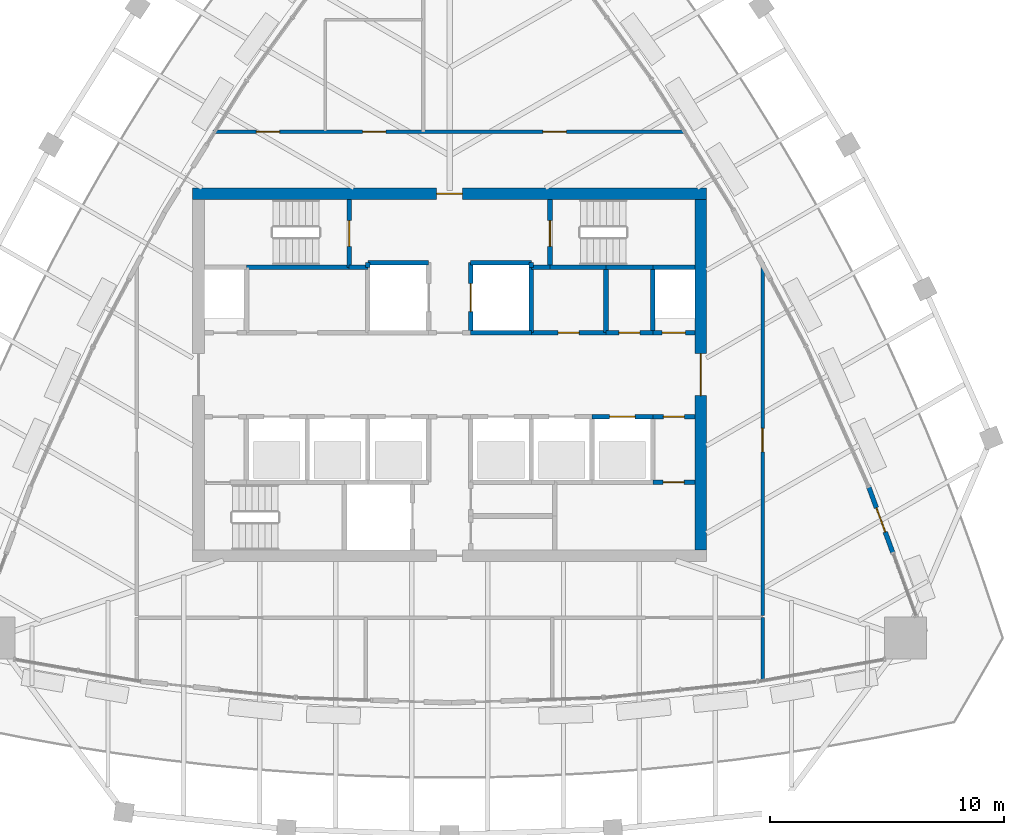
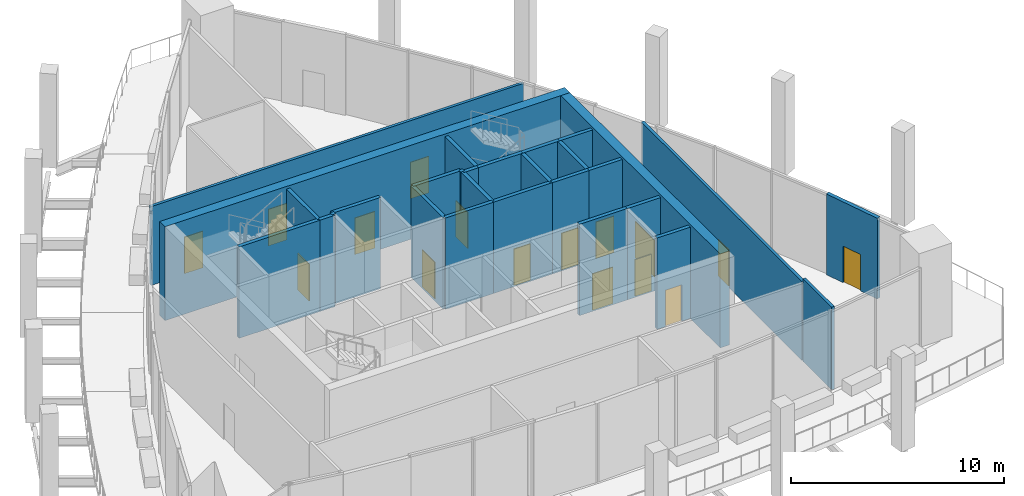
# One storey, part 9 of 14: 29 walls, 16 doors, 16 openings.
"""IFC4 building model written with IfcOpenShell, lengths in metres."""

from ifc_helpers import new_model, si_unit, direction, frame, frame_2d, origin, place, context, subcontext, project, spatial, rectangle, extrude, material, layer, layer_set, type_object, element, fill, save


model = new_model("IFC4")

# Units and contexts
model_context = context("Model", 3, precision=1e-05, world=origin(), true_north=direction((0.0, 1.0)))
body_context = subcontext(model_context, "Body", "Model", "MODEL_VIEW")
ifc_project = project(units=[si_unit("LENGTHUNIT", "METRE"), si_unit("AREAUNIT", "SQUARE_METRE"), si_unit("VOLUMEUNIT", "CUBIC_METRE"), si_unit("PLANEANGLEUNIT", "RADIAN"), si_unit("MASSUNIT", "GRAM", prefix="KILO")], contexts=[model_context])

# Site, building, storey
site_placement = place(None, origin())
site = spatial("IfcSite", under=ifc_project, at=site_placement, CompositionType="ELEMENT")
building_placement = place(site_placement, origin())
building = spatial("IfcBuilding", under=site, at=building_placement, Name="Sierra Prisma Convention Tower", CompositionType="ELEMENT")
storey_placement = place(building_placement, frame((0.0, 0.0, 339.39990234375)))
storey = spatial("IfcBuildingStorey", under=building, at=storey_placement, Name="L76", CompositionType="ELEMENT", Elevation=339.39990234375)

# Walls
ifc_material_1 = material(Name="Concrete C30/37", Category="concrete")
ifc_layer_1 = layer(ifc_material_1, 0.199951171875)
ifc_layer_set_1 = layer_set([ifc_layer_1], Name="Core wall RC 200 C30/37")
wall_type_1 = type_object("IfcWallType", Name="Core wall RC 200 C30/37", PredefinedType="SOLIDWALL", material=ifc_layer_set_1)
wall_1_placement = place(storey_placement, frame((-4.300048828125, 4.60009765625, 0.0), z_axis=(0.0, 0.0, 1.0), x_axis=(-1.0, 0.0, 0.0)))
element("IfcWall", 1, at=wall_1_placement, inside=storey, type_object=wall_type_1, Name="Core wall L76 10", PredefinedType="SOLIDWALL", context=body_context, shape_type="SweptSolid", body=[
    extrude(rectangle(XDim=4.39990234375, YDim=0.199951171875, at=frame_2d((2.199951171875, 0.0))), origin(), (0.0, 0.0, 1.0), 5.25),
])
wall_2_placement = place(storey_placement, frame((-3.5, 4.60009765625, 0.0), z_axis=(0.0, 0.0, 1.0), x_axis=(-1.0, 0.0, 0.0)))
element("IfcWall", 2, at=wall_2_placement, inside=storey, type_object=wall_type_1, Name="Core wall L76 16", PredefinedType="SOLIDWALL", context=body_context, shape_type="SweptSolid", body=[
    extrude(rectangle(XDim=0.800048828125, YDim=0.199951171875, at=frame_2d((0.39990234375, 0.0))), origin(), (0.0, 0.0, 1.0), 5.25),
])

# Wall, opening, door
wall_3_placement = place(storey_placement, frame((-4.300048828125, 4.60009765625, 0.0), z_axis=(0.0, 0.0, 1.0), x_axis=(0.0, 1.0, 0.0)))
wall_3 = element("IfcWall", 3, at=wall_3_placement, inside=storey, type_object=wall_type_1, Name="Core wall L76 17", PredefinedType="SOLIDWALL", context=body_context, shape_type="SweptSolid", body=[
    extrude(rectangle(XDim=2.89990234375, YDim=0.199951171875, at=frame_2d((1.449951171875, 0.0))), origin(), (0.0, 0.0, 1.0), 5.25),
])
opening_1_placement = place(wall_3_placement, frame((0.89990234375, 0.0, 0.0)))
opening_1 = element("IfcOpeningElement", 4, at=opening_1_placement, cuts=wall_3, Name="Opening L76-D016", PredefinedType="OPENING", context=body_context, shape_type="SweptSolid", body=[
    extrude(rectangle(XDim=1.10009765625, YDim=2.10009765625, at=frame_2d((0.550048828125, 1.050048828125))), frame((0.0, 0.10009765625, 0.0), z_axis=(0.0, -1.0, 0.0), x_axis=(1.0, 0.0, 0.0)), (0.0, 0.0, 1.0), 0.199951171875),
])
ifc_material_2 = material(Name="Steel fire door leaf", Category="steel")
door_type_1 = type_object("IfcDoorType", Name="Door 1100x2100 FD90S", OperationType="SINGLE_SWING_LEFT", PredefinedType="DOOR", material=ifc_material_2)
door_1_placement = place(opening_1_placement, origin())
door_1 = element("IfcDoor", 5, at=door_1_placement, inside=storey, type_object=door_type_1, Name="Door L76 24", OperationType="SINGLE_SWING_RIGHT", OverallHeight=2.10009765625, OverallWidth=1.10009765625, PredefinedType="DOOR", context=body_context, shape_type="SweptSolid", body=[
    extrude(rectangle(XDim=1.10009765625, YDim=2.10009765625, at=frame_2d((0.550048828125, 1.050048828125))), frame((0.0, 0.02490234375, 0.0), z_axis=(0.0, -1.0, 0.0), x_axis=(1.0, 0.0, 0.0)), (0.0, 0.0, 1.0), 0.050048828125),
])
fill(opening_1, door_1)

# Walls
wall_4_placement = place(storey_placement, frame((-0.89990234375, 4.800048828125, 0.0), z_axis=(0.0, 0.0, 1.0), x_axis=(-1.0, 0.0, 0.0)))
element("IfcWall", 6, at=wall_4_placement, inside=storey, type_object=wall_type_1, Name="Core wall L76 24", PredefinedType="SOLIDWALL", context=body_context, shape_type="SweptSolid", body=[
    extrude(rectangle(XDim=2.60009765625, YDim=0.199951171875, at=frame_2d((1.300048828125, 0.0))), origin(), (0.0, 0.0, 1.0), 5.25),
])
wall_5_placement = place(storey_placement, frame((-3.5, 4.800048828125, 0.0), z_axis=(0.0, 0.0, 1.0), x_axis=(0.0, -1.0, 0.0)))
element("IfcWall", 7, at=wall_5_placement, inside=storey, type_object=wall_type_1, Name="Core wall L76 25", PredefinedType="SOLIDWALL", context=body_context, shape_type="SweptSolid", body=[
    extrude(rectangle(XDim=0.199951171875, YDim=0.199951171875, at=frame_2d((0.10009765625, 0.0))), origin(), (0.0, 0.0, 1.0), 5.25),
])
wall_6_placement = place(storey_placement, frame((3.5, 1.800048828125, 0.0), z_axis=(0.0, 0.0, 1.0), x_axis=(-1.0, 0.0, 0.0)))
element("IfcWall", 8, at=wall_6_placement, inside=storey, type_object=wall_type_1, Name="Core wall L76 37", PredefinedType="SOLIDWALL", context=body_context, shape_type="SweptSolid", body=[
    extrude(rectangle(XDim=2.60009765625, YDim=0.199951171875, at=frame_2d((1.300048828125, 0.0))), origin(), (0.0, 0.0, 1.0), 5.25),
])
wall_7_placement = place(storey_placement, frame((3.5, 4.60009765625, 0.0), z_axis=(0.0, 0.0, 1.0), x_axis=(0.0, 1.0, 0.0)))
element("IfcWall", 9, at=wall_7_placement, inside=storey, type_object=wall_type_1, Name="Core wall L76 38", PredefinedType="SOLIDWALL", context=body_context, shape_type="SweptSolid", body=[
    extrude(rectangle(XDim=0.199951171875, YDim=0.199951171875, at=frame_2d((0.10009765625, 0.0))), origin(), (0.0, 0.0, 1.0), 5.25),
])
wall_8_placement = place(storey_placement, frame((3.5, 4.800048828125, 0.0), z_axis=(0.0, 0.0, 1.0), x_axis=(-1.0, 0.0, 0.0)))
element("IfcWall", 10, at=wall_8_placement, inside=storey, type_object=wall_type_1, Name="Core wall L76 39", PredefinedType="SOLIDWALL", context=body_context, shape_type="SweptSolid", body=[
    extrude(rectangle(XDim=2.60009765625, YDim=0.199951171875, at=frame_2d((1.300048828125, 0.0))), origin(), (0.0, 0.0, 1.0), 5.25),
])

# Wall, opening, door
wall_9_placement = place(storey_placement, frame((0.89990234375, 4.800048828125, 0.0), z_axis=(0.0, 0.0, 1.0), x_axis=(0.0, -1.0, 0.0)))
wall_9 = element("IfcWall", 11, at=wall_9_placement, inside=storey, type_object=wall_type_1, Name="Core wall L76 40", PredefinedType="SOLIDWALL", context=body_context, shape_type="SweptSolid", body=[
    extrude(rectangle(XDim=3.0, YDim=0.199951171875, at=frame_2d((1.5, 0.0))), origin(), (0.0, 0.0, 1.0), 5.25),
])
opening_2_placement = place(wall_9_placement, frame((0.89990234375, 0.0, 0.0)))
opening_2 = element("IfcOpeningElement", 12, at=opening_2_placement, cuts=wall_9, Name="Opening L76-D008", PredefinedType="OPENING", context=body_context, shape_type="SweptSolid", body=[
    extrude(rectangle(XDim=1.199951171875, YDim=2.10009765625, at=frame_2d((0.60009765625, 1.050048828125))), frame((0.0, 0.10009765625, 0.0), z_axis=(0.0, -1.0, 0.0), x_axis=(1.0, 0.0, 0.0)), (0.0, 0.0, 1.0), 0.199951171875),
])
ifc_material_3 = material(Name="Steel fire door leaf", Category="steel")
door_type_2 = type_object("IfcDoorType", Name="Door 1200x2100 EI 90 sliding lift landing", OperationType="SLIDING_TO_LEFT", PredefinedType="DOOR", material=ifc_material_3)
door_2_placement = place(opening_2_placement, origin())
door_2 = element("IfcDoor", 13, at=door_2_placement, inside=storey, type_object=door_type_2, Name="Door L76 16", OperationType="SLIDING_TO_LEFT", OverallHeight=2.10009765625, OverallWidth=1.199951171875, PredefinedType="DOOR", context=body_context, shape_type="SweptSolid", body=[
    extrude(rectangle(XDim=1.199951171875, YDim=2.10009765625, at=frame_2d((0.60009765625, 1.050048828125))), frame((0.0, 0.02490234375, 0.0), z_axis=(0.0, -1.0, 0.0), x_axis=(1.0, 0.0, 0.0)), (0.0, 0.0, 1.0), 0.050048828125),
])
fill(opening_2, door_2)

wall_10_placement = place(storey_placement, frame((3.5, 1.800048828125, 0.0), z_axis=(0.0, 0.0, 1.0), x_axis=(1.0, 0.0, 0.0)))
wall_10 = element("IfcWall", 14, at=wall_10_placement, inside=storey, type_object=wall_type_1, Name="Core wall L76 44", PredefinedType="SOLIDWALL", context=body_context, shape_type="SweptSolid", body=[
    extrude(rectangle(XDim=3.199951171875, YDim=0.199951171875, at=frame_2d((1.60009765625, 0.0))), origin(), (0.0, 0.0, 1.0), 5.25),
])
opening_3_placement = place(wall_10_placement, frame((1.14990234375, 0.0, 0.0)))
opening_3 = element("IfcOpeningElement", 15, at=opening_3_placement, cuts=wall_10, Name="Opening L76-D018", PredefinedType="OPENING", context=body_context, shape_type="SweptSolid", body=[
    extrude(rectangle(XDim=0.89990234375, YDim=2.10009765625, at=frame_2d((0.449951171875, 1.050048828125))), frame((0.0, 0.10009765625, 0.0), z_axis=(0.0, -1.0, 0.0), x_axis=(1.0, 0.0, 0.0)), (0.0, 0.0, 1.0), 0.199951171875),
])
ifc_material_4 = material(Name="Steel fire door leaf", Category="steel")
door_type_3 = type_object("IfcDoorType", Name="Door 900x2100 FD30S", OperationType="SINGLE_SWING_LEFT", PredefinedType="DOOR", material=ifc_material_4)
door_3_placement = place(opening_3_placement, origin())
door_3 = element("IfcDoor", 16, at=door_3_placement, inside=storey, type_object=door_type_3, Name="Door L76 26", OperationType="SINGLE_SWING_RIGHT", OverallHeight=2.10009765625, OverallWidth=0.89990234375, PredefinedType="DOOR", context=body_context, shape_type="SweptSolid", body=[
    extrude(rectangle(XDim=0.89990234375, YDim=2.10009765625, at=frame_2d((0.449951171875, 1.050048828125))), frame((0.0, 0.02490234375, 0.0), z_axis=(0.0, -1.0, 0.0), x_axis=(1.0, 0.0, 0.0)), (0.0, 0.0, 1.0), 0.050048828125),
])
fill(opening_3, door_3)

# Walls
wall_11_placement = place(storey_placement, frame((3.5, 4.60009765625, 0.0), z_axis=(0.0, 0.0, 1.0), x_axis=(0.0, -1.0, 0.0)))
element("IfcWall", 17, at=wall_11_placement, inside=storey, type_object=wall_type_1, Name="Core wall L76 45", PredefinedType="SOLIDWALL", context=body_context, shape_type="SweptSolid", body=[
    extrude(rectangle(XDim=2.800048828125, YDim=0.199951171875, at=frame_2d((1.39990234375, 0.0))), origin(), (0.0, 0.0, 1.0), 5.25),
])
wall_12_placement = place(storey_placement, frame((4.300048828125, 4.60009765625, 0.0), z_axis=(0.0, 0.0, 1.0), x_axis=(-1.0, 0.0, 0.0)))
element("IfcWall", 18, at=wall_12_placement, inside=storey, type_object=wall_type_1, Name="Core wall L76 46", PredefinedType="SOLIDWALL", context=body_context, shape_type="SweptSolid", body=[
    extrude(rectangle(XDim=0.800048828125, YDim=0.199951171875, at=frame_2d((0.39990234375, 0.0))), origin(), (0.0, 0.0, 1.0), 5.25),
])
wall_13_placement = place(storey_placement, frame((6.699951171875, 4.60009765625, 0.0), z_axis=(0.0, 0.0, 1.0), x_axis=(-1.0, 0.0, 0.0)))
element("IfcWall", 19, at=wall_13_placement, inside=storey, type_object=wall_type_1, Name="Core wall L76 47", PredefinedType="SOLIDWALL", context=body_context, shape_type="SweptSolid", body=[
    extrude(rectangle(XDim=2.39990234375, YDim=0.199951171875, at=frame_2d((1.199951171875, 0.0))), origin(), (0.0, 0.0, 1.0), 5.25),
])

# Wall, opening, door
wall_14_placement = place(storey_placement, frame((4.300048828125, 7.5, 0.0), z_axis=(0.0, 0.0, 1.0), x_axis=(0.0, -1.0, 0.0)))
wall_14 = element("IfcWall", 20, at=wall_14_placement, inside=storey, type_object=wall_type_1, Name="Core wall L76 48", PredefinedType="SOLIDWALL", context=body_context, shape_type="SweptSolid", body=[
    extrude(rectangle(XDim=2.89990234375, YDim=0.199951171875, at=frame_2d((1.449951171875, 0.0))), origin(), (0.0, 0.0, 1.0), 5.25),
])
opening_4_placement = place(wall_14_placement, frame((0.89990234375, 0.0, 0.0)))
opening_4 = element("IfcOpeningElement", 21, at=opening_4_placement, cuts=wall_14, Name="Opening L76-D017", PredefinedType="OPENING", context=body_context, shape_type="SweptSolid", body=[
    extrude(rectangle(XDim=1.10009765625, YDim=2.10009765625, at=frame_2d((0.550048828125, 1.050048828125))), frame((0.0, 0.10009765625, 0.0), z_axis=(0.0, -1.0, 0.0), x_axis=(1.0, 0.0, 0.0)), (0.0, 0.0, 1.0), 0.199951171875),
])
door_4_placement = place(opening_4_placement, origin())
door_4 = element("IfcDoor", 22, at=door_4_placement, inside=storey, type_object=door_type_1, Name="Door L76 25", OperationType="SINGLE_SWING_RIGHT", OverallHeight=2.10009765625, OverallWidth=1.10009765625, PredefinedType="DOOR", context=body_context, shape_type="SweptSolid", body=[
    extrude(rectangle(XDim=1.10009765625, YDim=2.10009765625, at=frame_2d((0.550048828125, 1.050048828125))), frame((0.0, 0.02490234375, 0.0), z_axis=(0.0, -1.0, 0.0), x_axis=(1.0, 0.0, 0.0)), (0.0, 0.0, 1.0), 0.050048828125),
])
fill(opening_4, door_4)

wall_15_placement = place(storey_placement, frame((6.10009765625, -1.800048828125, 0.0), z_axis=(0.0, 0.0, 1.0), x_axis=(1.0, 0.0, 0.0)))
wall_15 = element("IfcWall", 23, at=wall_15_placement, inside=storey, type_object=wall_type_1, Name="Core wall L76 54", PredefinedType="SOLIDWALL", context=body_context, shape_type="SweptSolid", body=[
    extrude(rectangle(XDim=2.599853515625, YDim=0.199951171875, at=frame_2d((1.2998046875, 0.0))), origin(), (0.0, 0.0, 1.0), 5.25),
])
opening_5_placement = place(wall_15_placement, frame((0.75, 0.0, 0.0)))
opening_5 = element("IfcOpeningElement", 24, at=opening_5_placement, cuts=wall_15, Name="Opening L76-D006", PredefinedType="OPENING", context=body_context, shape_type="SweptSolid", body=[
    extrude(rectangle(XDim=1.10009765625, YDim=2.10009765625, at=frame_2d((0.550048828125, 1.050048828125))), frame((0.0, 0.10009765625, 0.0), z_axis=(0.0, -1.0, 0.0), x_axis=(1.0, 0.0, 0.0)), (0.0, 0.0, 1.0), 0.199951171875),
])
ifc_material_5 = material(Name="Steel fire door leaf", Category="steel")
door_type_4 = type_object("IfcDoorType", Name="Door 1100x2100 EI 90 sliding lift landing", OperationType="SLIDING_TO_LEFT", PredefinedType="DOOR", material=ifc_material_5)
door_5_placement = place(opening_5_placement, origin())
door_5 = element("IfcDoor", 25, at=door_5_placement, inside=storey, type_object=door_type_4, Name="Door L76 14", OperationType="SLIDING_TO_RIGHT", OverallHeight=2.10009765625, OverallWidth=1.10009765625, PredefinedType="DOOR", context=body_context, shape_type="SweptSolid", body=[
    extrude(rectangle(XDim=1.10009765625, YDim=2.10009765625, at=frame_2d((0.550048828125, 1.050048828125))), frame((0.0, 0.02490234375, 0.0), z_axis=(0.0, -1.0, 0.0), x_axis=(1.0, 0.0, 0.0)), (0.0, 0.0, 1.0), 0.050048828125),
])
fill(opening_5, door_5)

wall_16_placement = place(storey_placement, frame((6.699951171875, 1.800048828125, 0.0), z_axis=(0.0, 0.0, 1.0), x_axis=(1.0, 0.0, 0.0)))
wall_16 = element("IfcWall", 26, at=wall_16_placement, inside=storey, type_object=wall_type_1, Name="Core wall L76 55", PredefinedType="SOLIDWALL", context=body_context, shape_type="SweptSolid", body=[
    extrude(rectangle(XDim=2.0, YDim=0.199951171875, at=frame_2d((1.0, 0.0))), origin(), (0.0, 0.0, 1.0), 5.25),
])
opening_6_placement = place(wall_16_placement, frame((0.550048828125, 0.0, 0.0)))
opening_6 = element("IfcOpeningElement", 27, at=opening_6_placement, cuts=wall_16, Name="Opening L76-D019", PredefinedType="OPENING", context=body_context, shape_type="SweptSolid", body=[
    extrude(rectangle(XDim=0.89990234375, YDim=2.10009765625, at=frame_2d((0.449951171875, 1.050048828125))), frame((0.0, 0.10009765625, 0.0), z_axis=(0.0, -1.0, 0.0), x_axis=(1.0, 0.0, 0.0)), (0.0, 0.0, 1.0), 0.199951171875),
])
door_6_placement = place(opening_6_placement, origin())
door_6 = element("IfcDoor", 28, at=door_6_placement, inside=storey, type_object=door_type_3, Name="Door L76 27", OperationType="SINGLE_SWING_RIGHT", OverallHeight=2.10009765625, OverallWidth=0.89990234375, PredefinedType="DOOR", context=body_context, shape_type="SweptSolid", body=[
    extrude(rectangle(XDim=0.89990234375, YDim=2.10009765625, at=frame_2d((0.449951171875, 1.050048828125))), frame((0.0, 0.02490234375, 0.0), z_axis=(0.0, -1.0, 0.0), x_axis=(1.0, 0.0, 0.0)), (0.0, 0.0, 1.0), 0.050048828125),
])
fill(opening_6, door_6)

# Walls
wall_17_placement = place(storey_placement, frame((6.699951171875, 1.800048828125, 0.0), z_axis=(0.0, 0.0, 1.0), x_axis=(0.0, 1.0, 0.0)))
element("IfcWall", 29, at=wall_17_placement, inside=storey, type_object=wall_type_1, Name="Core wall L76 56", PredefinedType="SOLIDWALL", context=body_context, shape_type="SweptSolid", body=[
    extrude(rectangle(XDim=2.800048828125, YDim=0.199951171875, at=frame_2d((1.39990234375, 0.0))), origin(), (0.0, 0.0, 1.0), 5.25),
])
wall_18_placement = place(storey_placement, frame((8.699951171875, 4.60009765625, 0.0), z_axis=(0.0, 0.0, 1.0), x_axis=(-1.0, 0.0, 0.0)))
element("IfcWall", 30, at=wall_18_placement, inside=storey, type_object=wall_type_1, Name="Core wall L76 57", PredefinedType="SOLIDWALL", context=body_context, shape_type="SweptSolid", body=[
    extrude(rectangle(XDim=2.0, YDim=0.199951171875, at=frame_2d((1.0, 0.0))), origin(), (0.0, 0.0, 1.0), 5.25),
])

# Wall, opening, door
wall_19_placement = place(storey_placement, frame((10.5, -4.60009765625, 0.0), z_axis=(0.0, 0.0, 1.0), x_axis=(-1.0, 0.0, 0.0)))
wall_19 = element("IfcWall", 31, at=wall_19_placement, inside=storey, type_object=wall_type_1, Name="Core wall L76 58", PredefinedType="SOLIDWALL", context=body_context, shape_type="SweptSolid", body=[
    extrude(rectangle(XDim=1.800048828125, YDim=0.199951171875, at=frame_2d((0.89990234375, 0.0))), origin(), (0.0, 0.0, 1.0), 5.25),
])
opening_7_placement = place(wall_19_placement, frame((0.4599609375, 0.0, 0.0)))
opening_7 = element("IfcOpeningElement", 32, at=opening_7_placement, cuts=wall_19, Name="Opening L76-D021", PredefinedType="OPENING", context=body_context, shape_type="SweptSolid", body=[
    extrude(rectangle(XDim=0.89990234375, YDim=2.10009765625, at=frame_2d((0.449951171875, 1.050048828125))), frame((0.0, 0.10009765625, 0.0), z_axis=(0.0, -1.0, 0.0), x_axis=(1.0, 0.0, 0.0)), (0.0, 0.0, 1.0), 0.199951171875),
])
door_7_placement = place(opening_7_placement, origin())
door_7 = element("IfcDoor", 33, at=door_7_placement, inside=storey, type_object=door_type_3, Name="Door L76 29", OperationType="SINGLE_SWING_LEFT", OverallHeight=2.10009765625, OverallWidth=0.89990234375, PredefinedType="DOOR", context=body_context, shape_type="SweptSolid", body=[
    extrude(rectangle(XDim=0.89990234375, YDim=2.10009765625, at=frame_2d((0.449951171875, 1.050048828125))), frame((0.0, 0.02490234375, 0.0), z_axis=(0.0, -1.0, 0.0), x_axis=(1.0, 0.0, 0.0)), (0.0, 0.0, 1.0), 0.050048828125),
])
fill(opening_7, door_7)

wall_20_placement = place(storey_placement, frame((8.699951171875, -1.800048828125, 0.0), z_axis=(0.0, 0.0, 1.0), x_axis=(1.0, 0.0, 0.0)))
wall_20 = element("IfcWall", 34, at=wall_20_placement, inside=storey, type_object=wall_type_1, Name="Core wall L76 60", PredefinedType="SOLIDWALL", context=body_context, shape_type="SweptSolid", body=[
    extrude(rectangle(XDim=1.800048828125, YDim=0.199951171875, at=frame_2d((0.89990234375, 0.0))), origin(), (0.0, 0.0, 1.0), 5.25),
])
opening_8_placement = place(wall_20_placement, frame((0.449951171875, 0.0, 0.0)))
opening_8 = element("IfcOpeningElement", 35, at=opening_8_placement, cuts=wall_20, Name="Opening L76-D022", PredefinedType="OPENING", context=body_context, shape_type="SweptSolid", body=[
    extrude(rectangle(XDim=0.89990234375, YDim=2.10009765625, at=frame_2d((0.449951171875, 1.050048828125))), frame((0.0, 0.10009765625, 0.0), z_axis=(0.0, -1.0, 0.0), x_axis=(1.0, 0.0, 0.0)), (0.0, 0.0, 1.0), 0.199951171875),
])
door_8_placement = place(opening_8_placement, origin())
door_8 = element("IfcDoor", 36, at=door_8_placement, inside=storey, type_object=door_type_3, Name="Door L76 30", OperationType="SINGLE_SWING_RIGHT", OverallHeight=2.10009765625, OverallWidth=0.89990234375, PredefinedType="DOOR", context=body_context, shape_type="SweptSolid", body=[
    extrude(rectangle(XDim=0.89990234375, YDim=2.10009765625, at=frame_2d((0.449951171875, 1.050048828125))), frame((0.0, 0.02490234375, 0.0), z_axis=(0.0, -1.0, 0.0), x_axis=(1.0, 0.0, 0.0)), (0.0, 0.0, 1.0), 0.050048828125),
])
fill(opening_8, door_8)

wall_21_placement = place(storey_placement, frame((10.5, 1.800048828125, 0.0), z_axis=(0.0, 0.0, 1.0), x_axis=(-1.0, 0.0, 0.0)))
wall_21 = element("IfcWall", 37, at=wall_21_placement, inside=storey, type_object=wall_type_1, Name="Core wall L76 61", PredefinedType="SOLIDWALL", context=body_context, shape_type="SweptSolid", body=[
    extrude(rectangle(XDim=1.800048828125, YDim=0.199951171875, at=frame_2d((0.89990234375, 0.0))), origin(), (0.0, 0.0, 1.0), 5.25),
])
opening_9_placement = place(wall_21_placement, frame((0.39990234375, 0.0, 0.0)))
opening_9 = element("IfcOpeningElement", 38, at=opening_9_placement, cuts=wall_21, Name="Opening L76-D014", PredefinedType="OPENING", context=body_context, shape_type="SweptSolid", body=[
    extrude(rectangle(XDim=1.0, YDim=2.10009765625, at=frame_2d((0.5, 1.050048828125))), frame((0.0, 0.10009765625, 0.0), z_axis=(0.0, -1.0, 0.0), x_axis=(1.0, 0.0, 0.0)), (0.0, 0.0, 1.0), 0.199951171875),
])
ifc_material_6 = material(Name="Steel fire door leaf", Category="steel")
door_type_5 = type_object("IfcDoorType", Name="Door 1000x2100 FD60S", OperationType="SINGLE_SWING_LEFT", PredefinedType="DOOR", material=ifc_material_6)
door_9_placement = place(opening_9_placement, origin())
door_9 = element("IfcDoor", 39, at=door_9_placement, inside=storey, type_object=door_type_5, Name="Door L76 22", OperationType="SINGLE_SWING_RIGHT", OverallHeight=2.10009765625, OverallWidth=1.0, PredefinedType="DOOR", context=body_context, shape_type="SweptSolid", body=[
    extrude(rectangle(XDim=1.0, YDim=2.10009765625, at=frame_2d((0.5, 1.050048828125))), frame((0.0, 0.02490234375, 0.0), z_axis=(0.0, -1.0, 0.0), x_axis=(1.0, 0.0, 0.0)), (0.0, 0.0, 1.0), 0.050048828125),
])
fill(opening_9, door_9)

# Walls
wall_22_placement = place(storey_placement, frame((8.699951171875, 1.800048828125, 0.0), z_axis=(0.0, 0.0, 1.0), x_axis=(0.0, 1.0, 0.0)))
element("IfcWall", 40, at=wall_22_placement, inside=storey, type_object=wall_type_1, Name="Core wall L76 62", PredefinedType="SOLIDWALL", context=body_context, shape_type="SweptSolid", body=[
    extrude(rectangle(XDim=2.800048828125, YDim=0.199951171875, at=frame_2d((1.39990234375, 0.0))), origin(), (0.0, 0.0, 1.0), 5.25),
])
wall_23_placement = place(storey_placement, frame((10.5, 4.60009765625, 0.0), z_axis=(0.0, 0.0, 1.0), x_axis=(-1.0, 0.0, 0.0)))
element("IfcWall", 41, at=wall_23_placement, inside=storey, type_object=wall_type_1, Name="Core wall L76 63", PredefinedType="SOLIDWALL", context=body_context, shape_type="SweptSolid", body=[
    extrude(rectangle(XDim=1.800048828125, YDim=0.199951171875, at=frame_2d((0.89990234375, 0.0))), origin(), (0.0, 0.0, 1.0), 5.25),
])

# Wall, opening, door
ifc_material_7 = material(Name="Concrete C50/60", Category="concrete")
ifc_layer_2 = layer(ifc_material_7, 0.5)
ifc_layer_set_2 = layer_set([ifc_layer_2], Name="Core wall RC 500 C50/60")
wall_type_2 = type_object("IfcWallType", Name="Core wall RC 500 C50/60", PredefinedType="SHEAR", material=ifc_layer_set_2)
wall_24_placement = place(storey_placement, frame((-11.0, 7.75, 0.0), z_axis=(0.0, 0.0, 1.0), x_axis=(1.0, 0.0, 0.0)))
wall_24 = element("IfcWall", 42, at=wall_24_placement, inside=storey, type_object=wall_type_2, Name="Core wall N L76", PredefinedType="SHEAR", context=body_context, shape_type="SweptSolid", body=[
    extrude(rectangle(XDim=22.0, YDim=0.5, at=frame_2d((11.0, 0.0))), origin(), (0.0, 0.0, 1.0), 5.400146484375),
])
opening_10_placement = place(wall_24_placement, frame((10.449951171875, 0.0, 0.0)))
opening_10 = element("IfcOpeningElement", 43, at=opening_10_placement, cuts=wall_24, Name="Opening L76-D034", PredefinedType="OPENING", context=body_context, shape_type="SweptSolid", body=[
    extrude(rectangle(XDim=1.10009765625, YDim=2.10009765625, at=frame_2d((0.550048828125, 1.050048828125))), frame((0.0, 0.25, 0.0), z_axis=(0.0, -1.0, 0.0), x_axis=(1.0, 0.0, 0.0)), (0.0, 0.0, 1.0), 0.5),
])
ifc_material_8 = material(Name="Steel fire door leaf", Category="steel")
door_type_6 = type_object("IfcDoorType", Name="Door 1100x2100 FD60S", OperationType="SINGLE_SWING_LEFT", PredefinedType="DOOR", material=ifc_material_8)
door_10_placement = place(opening_10_placement, origin())
door_10 = element("IfcDoor", 44, at=door_10_placement, inside=storey, type_object=door_type_6, Name="Door L76 35", OperationType="SINGLE_SWING_RIGHT", OverallHeight=2.10009765625, OverallWidth=1.10009765625, PredefinedType="DOOR", context=body_context, shape_type="SweptSolid", body=[
    extrude(rectangle(XDim=1.10009765625, YDim=2.10009765625, at=frame_2d((0.550048828125, 1.050048828125))), frame((0.0, 0.02490234375, 0.0), z_axis=(0.0, -1.0, 0.0), x_axis=(1.0, 0.0, 0.0)), (0.0, 0.0, 1.0), 0.050048828125),
])
fill(opening_10, door_10)

wall_25_placement = place(storey_placement, frame((10.75, -7.5, 0.0), z_axis=(0.0, 0.0, 1.0), x_axis=(0.0, 1.0, 0.0)))
wall_25 = element("IfcWall", 45, at=wall_25_placement, inside=storey, type_object=wall_type_2, Name="Core wall E L76", PredefinedType="SHEAR", context=body_context, shape_type="SweptSolid", body=[
    extrude(rectangle(XDim=15.0, YDim=0.5, at=frame_2d((7.5, 0.0))), origin(), (0.0, 0.0, 1.0), 5.400146484375),
])
opening_11_placement = place(wall_25_placement, frame((6.60009765625, 0.0, 0.0)))
opening_11 = element("IfcOpeningElement", 46, at=opening_11_placement, cuts=wall_25, Name="Opening L76-D033", PredefinedType="OPENING", context=body_context, shape_type="SweptSolid", body=[
    extrude(rectangle(XDim=1.800048828125, YDim=2.10009765625, at=frame_2d((0.89990234375, 1.050048828125))), frame((0.0, 0.25, 0.0), z_axis=(0.0, -1.0, 0.0), x_axis=(1.0, 0.0, 0.0)), (0.0, 0.0, 1.0), 0.5),
])
ifc_material_9 = material(Name="Steel fire door leaf", Category="steel")
door_type_7 = type_object("IfcDoorType", Name="Door 1800x2100 FD60S", OperationType="DOUBLE_DOOR_SINGLE_SWING", PredefinedType="DOOR", material=ifc_material_9)
door_11_placement = place(opening_11_placement, origin())
door_11 = element("IfcDoor", 47, at=door_11_placement, inside=storey, type_object=door_type_7, Name="Door L76 34", OperationType="DOUBLE_DOOR_SINGLE_SWING", OverallHeight=2.10009765625, OverallWidth=1.800048828125, PredefinedType="DOOR", context=body_context, shape_type="SweptSolid", body=[
    extrude(rectangle(XDim=1.800048828125, YDim=2.10009765625, at=frame_2d((0.89990234375, 1.050048828125))), frame((0.0, 0.02490234375, 0.0), z_axis=(0.0, -1.0, 0.0), x_axis=(1.0, 0.0, 0.0)), (0.0, 0.0, 1.0), 0.050048828125),
])
fill(opening_11, door_11)

# Wall, openings, doors
ifc_material_10 = material(Name="Gypsum board partition", Category="gypsum")
ifc_layer_3 = layer(ifc_material_10, 0.14990234375)
ifc_layer_set_3 = layer_set([ifc_layer_3], Name="Corridor wall 150 gypsum EI 60")
wall_type_3 = type_object("IfcWallType", Name="Corridor wall 150 gypsum EI 60", PredefinedType="PARTITIONING", material=ifc_layer_set_3)
wall_26_placement = place(storey_placement, frame((10.124755859375, 10.39990234375, 0.0), z_axis=(0.0, 0.0, 1.0), x_axis=(-1.0, 0.0, 0.0)))
wall_26 = element("IfcWall", 48, at=wall_26_placement, inside=storey, type_object=wall_type_3, Name="Partition L76 corr 3", PredefinedType="PARTITIONING", context=body_context, shape_type="SweptSolid", body=[
    extrude(rectangle(XDim=20.24951171875, YDim=0.14990234375, at=frame_2d((10.124755859375, 0.0))), origin(), (0.0, 0.0, 1.0), 4.533203125),
])
opening_12_placement = place(wall_26_placement, frame((5.124755859375, 0.0, 0.0)))
opening_12 = element("IfcOpeningElement", 49, at=opening_12_placement, cuts=wall_26, Name="Opening L76-D025", PredefinedType="OPENING", context=body_context, shape_type="SweptSolid", body=[
    extrude(rectangle(XDim=1.0, YDim=2.10009765625, at=frame_2d((0.5, 1.050048828125))), frame((0.0, 0.074951171875, 0.0), z_axis=(0.0, -1.0, 0.0), x_axis=(1.0, 0.0, 0.0)), (0.0, 0.0, 1.0), 0.14990234375),
])
opening_13_placement = place(wall_26_placement, frame((12.849365234375, 0.0, 0.0)))
opening_13 = element("IfcOpeningElement", 50, at=opening_13_placement, cuts=wall_26, Name="Opening L76-D026", PredefinedType="OPENING", context=body_context, shape_type="SweptSolid", body=[
    extrude(rectangle(XDim=1.0, YDim=2.10009765625, at=frame_2d((0.5, 1.050048828125))), frame((0.0, 0.074951171875, 0.0), z_axis=(0.0, -1.0, 0.0), x_axis=(1.0, 0.0, 0.0)), (0.0, 0.0, 1.0), 0.14990234375),
])
opening_14_placement = place(wall_26_placement, frame((17.3994140625, 0.0, 0.0)))
opening_14 = element("IfcOpeningElement", 51, at=opening_14_placement, cuts=wall_26, Name="Opening L76-D027", PredefinedType="OPENING", context=body_context, shape_type="SweptSolid", body=[
    extrude(rectangle(XDim=1.0, YDim=2.10009765625, at=frame_2d((0.5, 1.050048828125))), frame((0.0, 0.074951171875, 0.0), z_axis=(0.0, -1.0, 0.0), x_axis=(1.0, 0.0, 0.0)), (0.0, 0.0, 1.0), 0.14990234375),
])
ifc_material_11 = material(Name="Steel fire door leaf", Category="steel")
door_type_8 = type_object("IfcDoorType", Name="Door 1000x2100 FD30S", OperationType="SINGLE_SWING_LEFT", PredefinedType="DOOR", material=ifc_material_11)
door_12_placement = place(opening_12_placement, origin())
door_12 = element("IfcDoor", 52, at=door_12_placement, inside=storey, type_object=door_type_8, Name="Door L76 1", OperationType="SINGLE_SWING_LEFT", OverallHeight=2.10009765625, OverallWidth=1.0, PredefinedType="DOOR", context=body_context, shape_type="SweptSolid", body=[
    extrude(rectangle(XDim=1.0, YDim=2.10009765625, at=frame_2d((0.5, 1.050048828125))), frame((0.0, 0.02490234375, 0.0), z_axis=(0.0, -1.0, 0.0), x_axis=(1.0, 0.0, 0.0)), (0.0, 0.0, 1.0), 0.050048828125),
])
fill(opening_12, door_12)
door_13_placement = place(opening_13_placement, origin())
door_13 = element("IfcDoor", 53, at=door_13_placement, inside=storey, type_object=door_type_8, Name="Door L76 2", OperationType="SINGLE_SWING_LEFT", OverallHeight=2.10009765625, OverallWidth=1.0, PredefinedType="DOOR", context=body_context, shape_type="SweptSolid", body=[
    extrude(rectangle(XDim=1.0, YDim=2.10009765625, at=frame_2d((0.5, 1.050048828125))), frame((0.0, 0.02490234375, 0.0), z_axis=(0.0, -1.0, 0.0), x_axis=(1.0, 0.0, 0.0)), (0.0, 0.0, 1.0), 0.050048828125),
])
fill(opening_13, door_13)
door_14_placement = place(opening_14_placement, origin())
door_14 = element("IfcDoor", 54, at=door_14_placement, inside=storey, type_object=door_type_8, Name="Door L76 3", OperationType="SINGLE_SWING_RIGHT", OverallHeight=2.10009765625, OverallWidth=1.0, PredefinedType="DOOR", context=body_context, shape_type="SweptSolid", body=[
    extrude(rectangle(XDim=1.0, YDim=2.10009765625, at=frame_2d((0.5, 1.050048828125))), frame((0.0, 0.02490234375, 0.0), z_axis=(0.0, -1.0, 0.0), x_axis=(1.0, 0.0, 0.0)), (0.0, 0.0, 1.0), 0.050048828125),
])
fill(opening_14, door_14)

# Wall, opening, door
wall_27_placement = place(storey_placement, frame((13.39990234375, -10.320068359375, 0.0), z_axis=(0.0, 0.0, 1.0), x_axis=(0.0, 1.0, 0.0)))
wall_27 = element("IfcWall", 55, at=wall_27_placement, inside=storey, type_object=wall_type_3, Name="Partition L76 corr 4", PredefinedType="PARTITIONING", context=body_context, shape_type="SweptSolid", body=[
    extrude(rectangle(XDim=15.13525390625, YDim=0.14990234375, at=frame_2d((7.567626953125, 0.0))), origin(), (0.0, 0.0, 1.0), 4.533203125),
])
opening_15_placement = place(wall_27_placement, frame((7.017578125, 0.0, 0.0)))
opening_15 = element("IfcOpeningElement", 56, at=opening_15_placement, cuts=wall_27, Name="Opening L76-D032", PredefinedType="OPENING", context=body_context, shape_type="SweptSolid", body=[
    extrude(rectangle(XDim=1.0, YDim=2.10009765625, at=frame_2d((0.5, 1.050048828125))), frame((0.0, 0.074951171875, 0.0), z_axis=(0.0, -1.0, 0.0), x_axis=(1.0, 0.0, 0.0)), (0.0, 0.0, 1.0), 0.14990234375),
])
door_15_placement = place(opening_15_placement, origin())
door_15 = element("IfcDoor", 57, at=door_15_placement, inside=storey, type_object=door_type_8, Name="Door L76 8", OperationType="SINGLE_SWING_LEFT", OverallHeight=2.10009765625, OverallWidth=1.0, PredefinedType="DOOR", context=body_context, shape_type="SweptSolid", body=[
    extrude(rectangle(XDim=1.0, YDim=2.10009765625, at=frame_2d((0.5, 1.050048828125))), frame((0.0, 0.02490234375, 0.0), z_axis=(0.0, -1.0, 0.0), x_axis=(1.0, 0.0, 0.0)), (0.0, 0.0, 1.0), 0.050048828125),
])
fill(opening_15, door_15)

# Wall
ifc_material_12 = material(Name="Gypsum board partition", Category="gypsum")
ifc_layer_4 = layer(ifc_material_12, 0.14990234375)
ifc_layer_set_4 = layer_set([ifc_layer_4], Name="Party wall 150 gypsum")
wall_type_4 = type_object("IfcWallType", Name="Party wall 150 gypsum", PredefinedType="PARTITIONING", material=ifc_layer_set_4)
wall_28_placement = place(storey_placement, frame((13.39990234375, -13.1005859375, 0.0), z_axis=(0.0, 0.0, 1.0), x_axis=(0.0, 1.0, 0.0)))
element("IfcWall", 58, at=wall_28_placement, inside=storey, type_object=wall_type_4, Name="Partition L76 party 5", PredefinedType="PARTITIONING", context=body_context, shape_type="SweptSolid", body=[
    extrude(rectangle(XDim=2.70068359375, YDim=0.14990234375, at=frame_2d((1.350341796875, 0.0))), origin(), (0.0, 0.0, 1.0), 4.75),
])

# Wall, opening, door
ifc_material_13 = material(Name="Precast concrete C40/50", Category="concrete")
ifc_layer_5 = layer(ifc_material_13, 0.199951171875)
ifc_layer_set_5 = layer_set([ifc_layer_5], Name="Terrace door pier")
wall_type_5 = type_object("IfcWallType", Name="Terrace door pier", PredefinedType="SOLIDWALL", material=ifc_layer_set_5)
wall_29_placement = place(storey_placement, frame((19.004150390625, -7.689697265625, 0.0), z_axis=(0.0, 0.0, 1.0), x_axis=(-0.343363544049, 0.939202574857, 0.0)))
wall_29 = element("IfcWall", 59, at=wall_29_placement, inside=storey, type_object=wall_type_5, Name="Deck door bay L76", PredefinedType="SOLIDWALL", context=body_context, shape_type="SweptSolid", body=[
    extrude(rectangle(XDim=3.132080078125, YDim=0.199951171875, at=frame_2d((1.56591796875, 0.0))), origin(), (0.0, 0.0, 1.0), 4.64013671875),
])
opening_16_placement = place(wall_29_placement, frame((1.01611328125, 0.0, 0.0)))
opening_16 = element("IfcOpeningElement", 60, at=opening_16_placement, cuts=wall_29, Name="Opening L76-D040", PredefinedType="OPENING", context=body_context, shape_type="SweptSolid", body=[
    extrude(rectangle(XDim=1.10009765625, YDim=2.10009765625, at=frame_2d((0.550048828125, 1.050048828125))), frame((0.0, 0.10009765625, 0.0), z_axis=(0.0, -1.0, 0.0), x_axis=(1.0, 0.0, 0.0)), (0.0, 0.0, 1.0), 0.199951171875),
])
ifc_material_14 = material(Name="Bronze anodised aluminium and glass", Category="aluminium")
door_type_9 = type_object("IfcDoorType", Name="Terrace door 1100 x 2100", OperationType="SINGLE_SWING_LEFT", PredefinedType="DOOR", material=ifc_material_14)
door_16_placement = place(opening_16_placement, origin())
door_16 = element("IfcDoor", 61, at=door_16_placement, inside=storey, type_object=door_type_9, Name="Deck door L76", OperationType="SINGLE_SWING_LEFT", OverallHeight=2.10009765625, OverallWidth=1.10009765625, PredefinedType="DOOR", context=body_context, shape_type="SweptSolid", body=[
    extrude(rectangle(XDim=1.10009765625, YDim=2.10009765625, at=frame_2d((0.550048828125, 1.050048828125))), frame((0.0, 0.02490234375, 0.0), z_axis=(0.0, -1.0, 0.0), x_axis=(1.0, 0.0, 0.0)), (0.0, 0.0, 1.0), 0.050048828125),
])
fill(opening_16, door_16)

save(model, "model.ifc")
